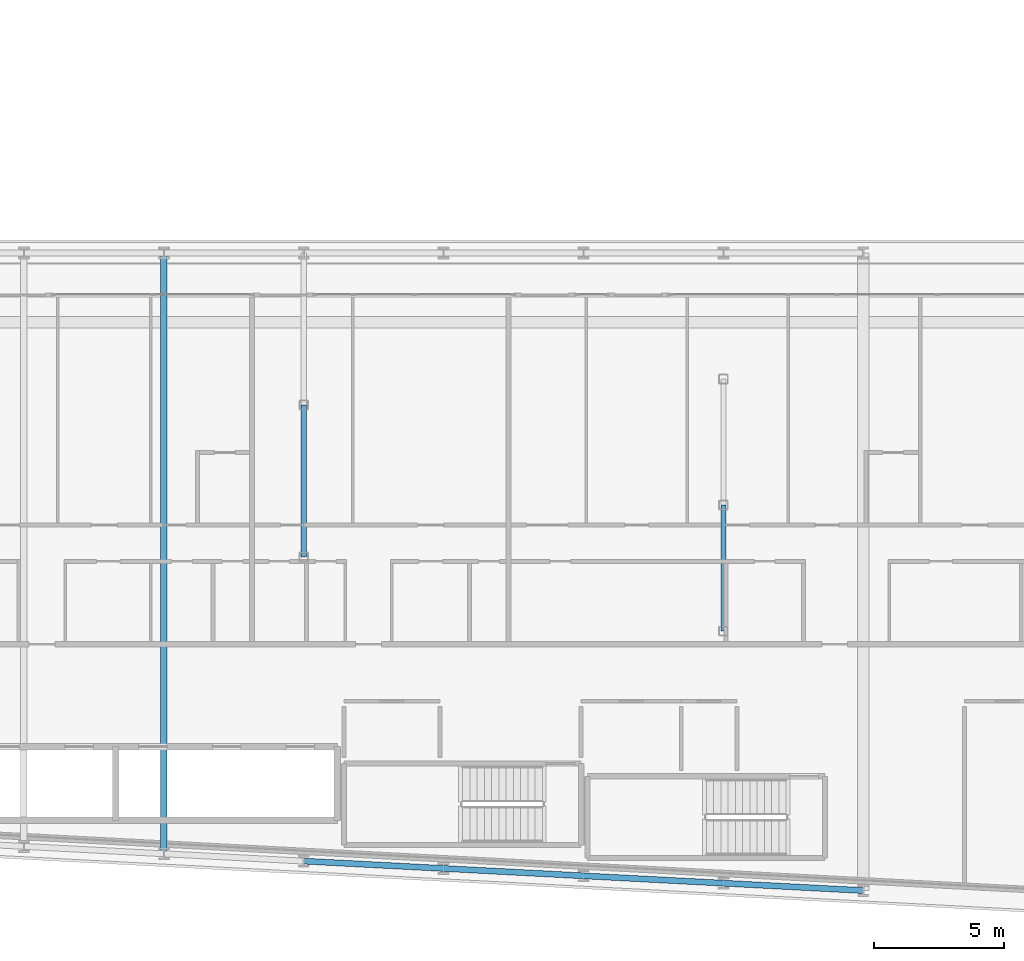
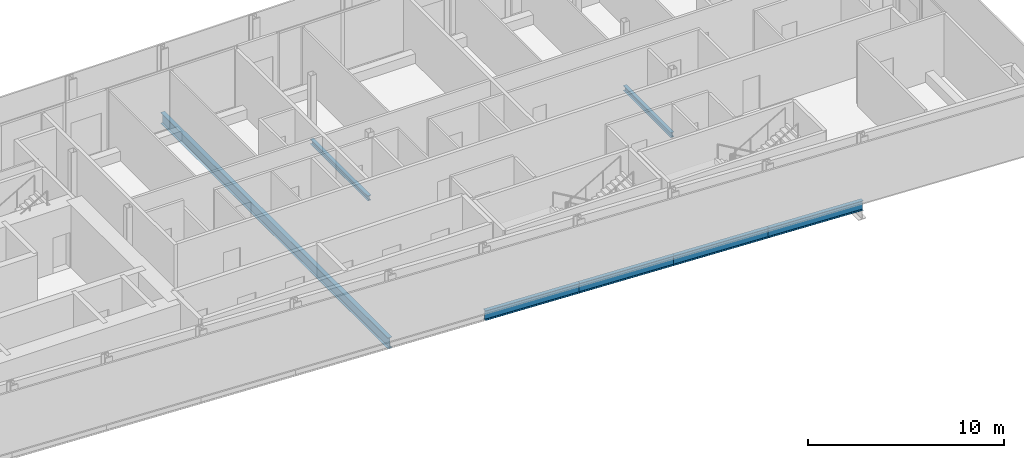
# One storey, part 5 of 28: 7 beams.
"""IFC4 building model written with IfcOpenShell, lengths in metres."""

import ifcopenshell
import ifcopenshell.guid

model = None  # the IFC model being written
_history = None  # IfcOwnerHistory: only IFC2X3 demands one
_inside = {}  # id of a spatial element -> (the spatial element, [elements in it])
_under = {}  # id of a project, library or spatial element -> (it, [spatial elements below it])
_declared = {}  # id of a project -> (the project, [libraries it declares])
_typed = {}  # id of a type object -> (the type object, [elements of that type])
_made_of = {}  # id of a material, layer set ... -> (it, [elements and type objects made of it])


def new_model(schema):
    """Start an empty IFC model of exactly this schema.

    Asked for "IFC4X3", IfcOpenShell would pick the latest addendum, in which some entities
    have other attributes; the version numbers below select the first issue.
    IFC2X3 requires an IfcOwnerHistory on every rooted entity: one is made here for all.
    """
    global model, _history
    if schema == "IFC4X3":
        model = ifcopenshell.file(schema_version=(4, 3, 0, 0))
    else:
        model = ifcopenshell.file(schema=schema)
    _inside.clear()
    _under.clear()
    _declared.clear()
    _typed.clear()
    _made_of.clear()
    _history = None
    if model.schema == "IFC2X3":
        org = make("IfcOrganization", Name="unknown")
        user = make(
            "IfcPersonAndOrganization",
            ThePerson=make("IfcPerson", FamilyName="unknown"),
            TheOrganization=org,
        )
        app = make(
            "IfcApplication",
            ApplicationDeveloper=org,
            Version="unknown",
            ApplicationFullName="unknown",
            ApplicationIdentifier="unknown",
        )
        _history = make(
            "IfcOwnerHistory",
            OwningUser=user,
            OwningApplication=app,
            ChangeAction="ADDED",
            CreationDate=0,
        )
    return model


def make(cls, **values):
    """One entity of the class cls with the attributes given. An attribute that is None is left unset."""
    return model.create_entity(
        cls, **{name: value for name, value in values.items() if value is not None}
    )


def rooted(cls, **values):
    """An entity with a GlobalId (a new one), such as an element, a storey or a relation."""
    return make(cls, GlobalId=ifcopenshell.guid.new(), OwnerHistory=_history, **values)


def si_unit(unit_type, name, prefix=None):
    """IfcSIUnit, for example si_unit("LENGTHUNIT", "METRE", prefix="MILLI")."""
    return make("IfcSIUnit", UnitType=unit_type, Prefix=prefix, Name=name)


def assignment(units):
    """IfcUnitAssignment: the units of a project."""
    return None if units is None else make("IfcUnitAssignment", Units=units)


def point(xyz):
    """IfcCartesianPoint."""
    return None if xyz is None else make("IfcCartesianPoint", Coordinates=xyz)


def direction(xyz):
    """IfcDirection."""
    return None if xyz is None else make("IfcDirection", DirectionRatios=xyz)


def frame(location, z_axis=None, x_axis=None):
    """IfcAxis2Placement3D, a coordinate frame: its origin and axes. An axis left out is left unset."""
    return make(
        "IfcAxis2Placement3D",
        Location=point(location),
        Axis=direction(z_axis),
        RefDirection=direction(x_axis),
    )


def frame_2d(location, x_axis=None):
    """IfcAxis2Placement2D, a coordinate frame in the plane: its origin and x axis."""
    return make(
        "IfcAxis2Placement2D", Location=point(location), RefDirection=direction(x_axis)
    )


def origin():
    """The frame at (0, 0, 0) with its axes left unset."""
    return frame((0.0, 0.0, 0.0))


def origin_2d():
    """The frame at (0, 0) in the plane with its x axis left unset."""
    return frame_2d((0.0, 0.0))


def place(relative_to, where):
    """IfcLocalPlacement: puts the frame where relative to a parent placement (None: the world)."""
    return make(
        "IfcLocalPlacement", PlacementRelTo=relative_to, RelativePlacement=where
    )


def context(
    kind, dimensions, precision=None, world=None, true_north=None, identifier=None
):
    """IfcGeometricRepresentationContext, for example the 3D "Model" context."""
    return make(
        "IfcGeometricRepresentationContext",
        ContextIdentifier=identifier,
        ContextType=kind,
        CoordinateSpaceDimension=dimensions,
        Precision=precision,
        WorldCoordinateSystem=world,
        TrueNorth=true_north,
    )


def subcontext(parent, identifier, kind, view, scale=None):
    """IfcGeometricRepresentationSubContext, for example "Body" below "Model"."""
    return make(
        "IfcGeometricRepresentationSubContext",
        ContextIdentifier=identifier,
        ContextType=kind,
        ParentContext=parent,
        TargetScale=scale,
        TargetView=view,
    )


def project(units=None, contexts=None):
    """IfcProject with its units and contexts."""
    return rooted(
        "IfcProject",
        Name="project",
        RepresentationContexts=contexts,
        UnitsInContext=assignment(units),
    )


def spatial(cls, under=None, at=None, **own):
    """A site, building, storey or space (cls), placed at a placement, below another one or the project."""
    s = rooted(cls, ObjectPlacement=at, **own)
    if under is not None:
        _under.setdefault(under.id(), (under, []))[1].append(s)
    return s


def profile(cls, at=None, kind="AREA", **sizes):
    """A parametric profile (cls). Its sizes go by their IFC names, for example OverallWidth=200.0."""
    return make(cls, ProfileType=kind, Position=at, **sizes)


def i_section(**sizes):
    """IfcIShapeProfileDef."""
    return profile("IfcIShapeProfileDef", **sizes)


def extrude(swept, where, along, depth):
    """IfcExtrudedAreaSolid: the profile swept, set in the frame where, extruded along a direction by depth."""
    return make(
        "IfcExtrudedAreaSolid",
        SweptArea=swept,
        Position=where,
        ExtrudedDirection=direction(along),
        Depth=depth,
    )


def shape(context_of_items, identifier, shape_type, items):
    """IfcShapeRepresentation: the items that make up one representation, for example the "Body"."""
    return make(
        "IfcShapeRepresentation",
        ContextOfItems=context_of_items,
        RepresentationIdentifier=identifier,
        RepresentationType=shape_type,
        Items=items,
    )


def material(Name=None, Category=None):
    """IfcMaterial."""
    return make("IfcMaterial", Name=Name, Category=Category)


def material_profile(
    of_material, cross_section, Name=None, Category=None, Priority=None
):
    """IfcMaterialProfile: a cross section and its material."""
    return make(
        "IfcMaterialProfile",
        Name=Name,
        Material=of_material,
        Profile=cross_section,
        Priority=Priority,
        Category=Category,
    )


def profile_set(profiles, Name=None, composite=None):
    """IfcMaterialProfileSet."""
    return make(
        "IfcMaterialProfileSet",
        Name=Name,
        MaterialProfiles=profiles,
        CompositeProfile=composite,
    )


def made_of(thing, what):
    """Note that an element or type object is made of a material, layer set ...; save() writes the relation."""
    if what is not None:
        _made_of.setdefault(what.id(), (what, []))[1].append(thing)
    return thing


def type_object(cls, material=None, **own):
    """A type object (cls), such as IfcWallType, which elements share."""
    return made_of(rooted(cls, **own), material)


def element(
    cls,
    number,
    at=None,
    inside=None,
    cuts=None,
    type_object=None,
    material=None,
    context=None,
    identifier="Body",
    shape_type=None,
    held_by="IfcProductDefinitionShape",
    body=None,
    shapes=None,
    **own,
):
    """One element of the class cls, such as IfcWall. Its Tag is "e" and its number.

    at: its placement. inside: the storey or other place that contains it. cuts: it is an
    opening in that element (IfcRelVoidsElement). A single representation is given by context,
    identifier, shape_type and body (its items); several are given by shapes. held_by: the class
    of the entity that holds the representations. save() writes the other relations.
    """
    e = rooted(cls, Tag="e%d" % number, ObjectPlacement=at, **own)
    if body is not None:
        shapes = [shape(context, identifier, shape_type, body)]
    if shapes is not None:
        e.Representation = make(held_by, Representations=shapes)
    if inside is not None:
        _inside.setdefault(inside.id(), (inside, []))[1].append(e)
    if cuts is not None:
        rooted(
            "IfcRelVoidsElement", RelatingBuildingElement=cuts, RelatedOpeningElement=e
        )
    if type_object is not None:
        _typed.setdefault(type_object.id(), (type_object, []))[1].append(e)
    return made_of(e, material)


def aggregate(whole, parts):
    """IfcRelAggregates: a whole, such as a stair, and the parts it consists of."""
    return rooted("IfcRelAggregates", RelatingObject=whole, RelatedObjects=parts)


def save(model, path):
    """Write the relations noted so far, then the file.

    IfcRelAggregates (storeys below a building ...), IfcRelContainedInSpatialStructure (elements
    in a storey), IfcRelDefinesByType, IfcRelAssociatesMaterial and IfcRelDeclares: one each for
    every whole, place, type object, material and project.
    """
    for whole, parts in _under.values():
        aggregate(whole, parts)
    for where, things in _inside.values():
        rooted(
            "IfcRelContainedInSpatialStructure",
            RelatedElements=things,
            RelatingStructure=where,
        )
    for kind, things in _typed.values():
        rooted("IfcRelDefinesByType", RelatedObjects=things, RelatingType=kind)
    for what, things in _made_of.values():
        rooted("IfcRelAssociatesMaterial", RelatedObjects=things, RelatingMaterial=what)
    for by, libraries in _declared.values():
        rooted("IfcRelDeclares", RelatingContext=by, RelatedDefinitions=libraries)
    model.write(path)


model = new_model("IFC4")

# Units and contexts
model_context = context("Model", 3, precision=1e-05, world=origin(), true_north=direction((0.0, 1.0)))
body_context = subcontext(model_context, "Body", "Model", "MODEL_VIEW")
ifc_project = project(units=[si_unit("LENGTHUNIT", "METRE"), si_unit("AREAUNIT", "SQUARE_METRE"), si_unit("VOLUMEUNIT", "CUBIC_METRE"), si_unit("PLANEANGLEUNIT", "RADIAN"), si_unit("MASSUNIT", "GRAM", prefix="KILO")], contexts=[model_context])

# Site, building, storey
site_placement = place(None, origin())
site = spatial("IfcSite", under=ifc_project, at=site_placement, CompositionType="ELEMENT")
building_placement = place(site_placement, origin())
building = spatial("IfcBuilding", under=site, at=building_placement, Name="Kheshtan School and Residences Tower", CompositionType="ELEMENT")
storey_placement = place(building_placement, frame((0.0, 0.0, 94.10009765625)))
storey = spatial("IfcBuildingStorey", under=building, at=storey_placement, Name="L21", CompositionType="ELEMENT", Elevation=94.10009765625)

# Beams
ifc_material = material(Name="Steel ASTM A992 Grade 50", Category="steel")
ifc_material_profile_1 = material_profile(ifc_material, i_section(OverallWidth=0.202880859375, OverallDepth=0.302978515625, WebThickness=0.007568359375, FlangeThickness=0.01318359375, FilletRadius=0.009033203125, at=origin_2d()), Name="W310x60")
ifc_profile_set_1 = profile_set([ifc_material_profile_1], Name="Steel ASTM A992 Grade 50")
beam_type_1 = type_object("IfcBeamType", Name="Beam FB1 W310x60 ASTM A992 Grade 50", PredefinedType="BEAM", material=ifc_profile_set_1)
beam_1_placement = place(storey_placement, frame((85.39990234375, 31.0048828125, -0.301513671875), z_axis=(0.0, 1.0, 0.0), x_axis=(-1.0, 0.0, 0.0)))
element("IfcBeam", 1, at=beam_1_placement, inside=storey, type_object=beam_type_1, Name="Floor beam IC", PredefinedType="BEAM", context=body_context, shape_type="SweptSolid", body=[
    extrude(i_section(OverallWidth=0.202880859375, OverallDepth=0.302978515625, WebThickness=0.007568359375, FlangeThickness=0.01318359375, FilletRadius=0.009033203125, at=origin_2d()), origin(), (0.0, 0.0, 1.0), 4.865234375),
])
beam_2_placement = place(storey_placement, frame((69.199951171875, 33.863037109375, -0.301513671875), z_axis=(0.0, 1.0, 0.0), x_axis=(-1.0, 0.0, 0.0)))
element("IfcBeam", 2, at=beam_2_placement, inside=storey, type_object=beam_type_1, Name="Floor beam IC", PredefinedType="BEAM", context=body_context, shape_type="SweptSolid", body=[
    extrude(i_section(OverallWidth=0.202880859375, OverallDepth=0.302978515625, WebThickness=0.007568359375, FlangeThickness=0.01318359375, FilletRadius=0.009033203125, at=origin_2d()), origin(), (0.0, 0.0, 1.0), 5.868896484375),
])
ifc_material_profile_2 = material_profile(ifc_material, i_section(OverallWidth=0.2529296875, OverallDepth=0.677978515625, WebThickness=0.01171875, FlangeThickness=0.016357421875, FilletRadius=0.0146484375, at=origin_2d()), Name="W690x125")
ifc_profile_set_2 = profile_set([ifc_material_profile_2], Name="Steel ASTM A992 Grade 50")
beam_type_2 = type_object("IfcBeamType", Name="Beam FB6 W690x125 ASTM A992 Grade 50", PredefinedType="BEAM", material=ifc_profile_set_2)
beam_3_placement = place(storey_placement, frame((63.800048828125, 22.410888671875, -0.489013671875), z_axis=(0.0, 1.0, 0.0), x_axis=(-1.0, 0.0, 0.0)))
element("IfcBeam", 3, at=beam_3_placement, inside=storey, type_object=beam_type_2, Name="Floor beam C016", PredefinedType="BEAM", context=body_context, shape_type="SweptSolid", body=[
    extrude(i_section(OverallWidth=0.2529296875, OverallDepth=0.677978515625, WebThickness=0.01171875, FlangeThickness=0.016357421875, FilletRadius=0.0146484375, at=origin_2d()), origin(), (0.0, 0.0, 1.0), 23.189208984375),
])
ifc_material_profile_3 = material_profile(ifc_material, i_section(OverallWidth=0.22802734375, OverallDepth=0.60302734375, WebThickness=0.010498046875, FlangeThickness=0.014892578125, FilletRadius=0.013427734375, at=origin_2d()), Name="W610x101")
ifc_profile_set_3 = profile_set([ifc_material_profile_3], Name="Steel ASTM A992 Grade 50")
beam_type_3 = type_object("IfcBeamType", Name="Beam SP2 W610x101 ASTM A992 Grade 50", PredefinedType="BEAM", material=ifc_profile_set_3)
beam_4_placement = place(storey_placement, frame((90.800048828125, 20.989990234375, -0.45166015625), z_axis=(-0.998620571751, 0.05250670125, 0.0), x_axis=(-0.05250670125, -0.998620571751, 0.0)))
element("IfcBeam", 4, at=beam_4_placement, inside=storey, type_object=beam_type_3, Name="Spandrel beam C006-C008", PredefinedType="BEAM", context=body_context, shape_type="SweptSolid", body=[
    extrude(i_section(OverallWidth=0.22802734375, OverallDepth=0.60302734375, WebThickness=0.010498046875, FlangeThickness=0.014892578125, FilletRadius=0.013427734375, at=origin_2d()), origin(), (0.0, 0.0, 1.0), 5.40771484375),
])
for number, where, z_axis, x_axis, name in (
    (5, (85.39990234375, 21.27392578125, -0.45166015625), (-0.998618078766, 0.052554093665, 0.0), (-0.052554093665, -0.998618078766, 0.0), "Spandrel beam C008-C012"),
    (6, (80.0, 21.55810546875, -0.45166015625), (-0.998610961136, 0.052689166816, 0.0), (-0.052689166816, -0.998610961136, 0.0), "Spandrel beam C012-C013"),
):
    element("IfcBeam", number, at=place(storey_placement, frame(where, z_axis=z_axis, x_axis=x_axis)), inside=storey, type_object=beam_type_3, Name=name, PredefinedType="BEAM", context=body_context, shape_type="SweptSolid", body=[
        extrude(i_section(OverallWidth=0.22802734375, OverallDepth=0.60302734375, WebThickness=0.010498046875, FlangeThickness=0.014892578125, FilletRadius=0.013427734375, at=origin_2d()), origin(), (0.0, 0.0, 1.0), 5.407470703125),
    ])
beam_5_placement = place(storey_placement, frame((74.60009765625, 21.843017578125, -0.45166015625), z_axis=(-0.998620571751, 0.05250670125, 0.0), x_axis=(-0.05250670125, -0.998620571751, 0.0)))
element("IfcBeam", 7, at=beam_5_placement, inside=storey, type_object=beam_type_3, Name="Spandrel beam C013-C014", PredefinedType="BEAM", context=body_context, shape_type="SweptSolid", body=[
    extrude(i_section(OverallWidth=0.22802734375, OverallDepth=0.60302734375, WebThickness=0.010498046875, FlangeThickness=0.014892578125, FilletRadius=0.013427734375, at=origin_2d()), origin(), (0.0, 0.0, 1.0), 5.40771484375),
])

save(model, "model.ifc")
